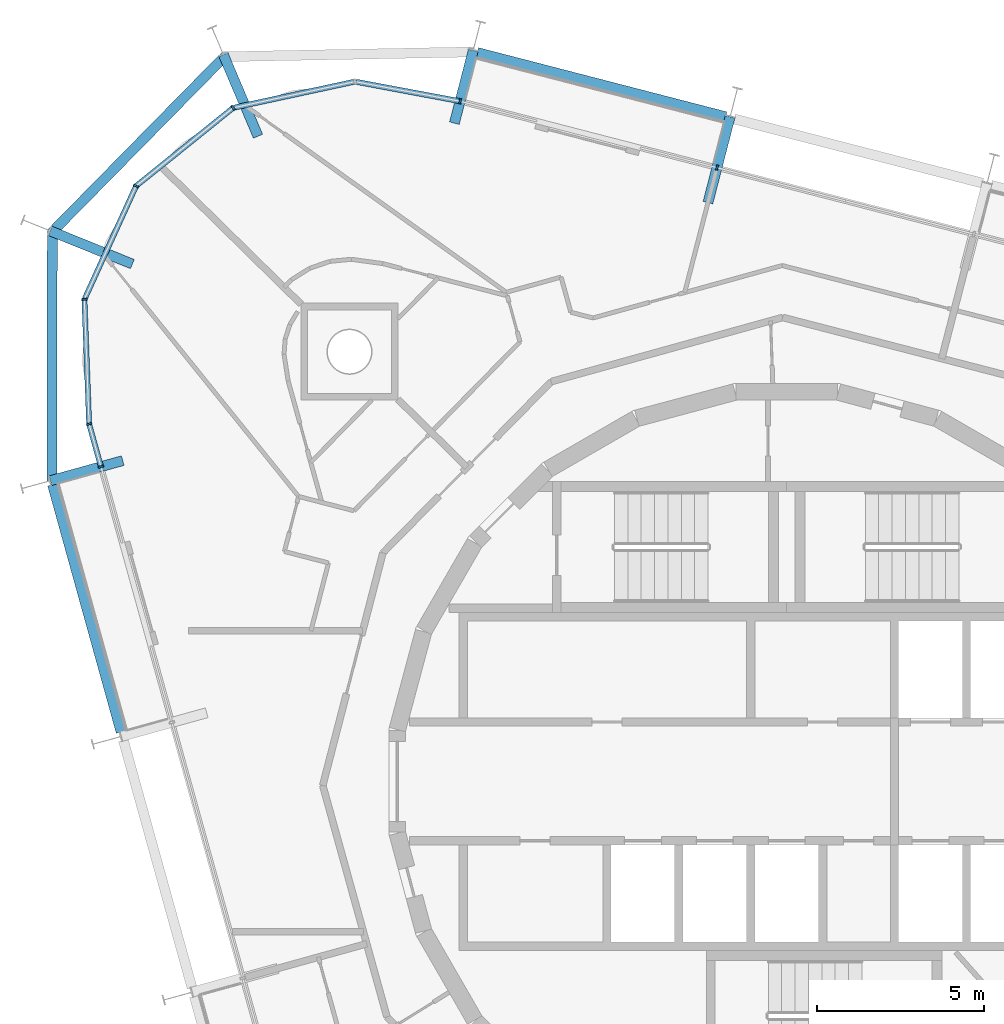
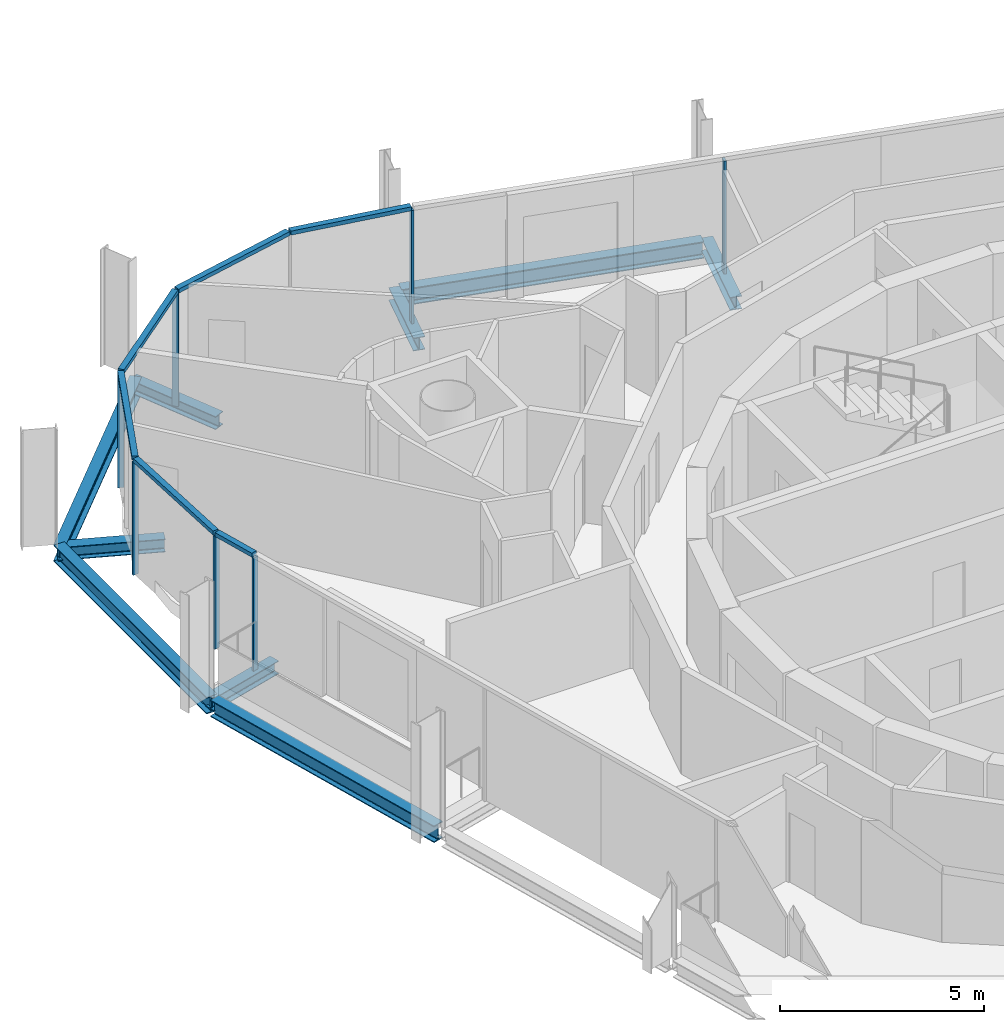
# One storey, part 5 of 16: 13 members, 9 beams, 3 elements without a shape of their own.
"""IFC4 building model written with IfcOpenShell, lengths in metres."""

from ifc_helpers import new_model, si_unit, direction, frame, origin, origin_2d, place, context, subcontext, project, spatial, rectangle, i_section, extrude, material, layer, layer_set, material_profile, profile_set, type_object, element, aggregate, save


model = new_model("IFC4")

# Units and contexts
model_context = context("Model", 3, precision=1e-05, world=origin(), true_north=direction((0.0, 1.0)))
body_context = subcontext(model_context, "Body", "Model", "MODEL_VIEW")
ifc_project = project(units=[si_unit("LENGTHUNIT", "METRE"), si_unit("AREAUNIT", "SQUARE_METRE"), si_unit("VOLUMEUNIT", "CUBIC_METRE"), si_unit("PLANEANGLEUNIT", "RADIAN"), si_unit("MASSUNIT", "GRAM", prefix="KILO")], contexts=[model_context])

# Site, building, storey
site_placement = place(None, origin())
site = spatial("IfcSite", under=ifc_project, at=site_placement, CompositionType="ELEMENT")
building_placement = place(site_placement, origin())
building = spatial("IfcBuilding", under=site, at=building_placement, Name="Spindle Arch Residences", CompositionType="ELEMENT")
storey_placement = place(building_placement, frame((0.0, 0.0, 301.699951171875)))
storey = spatial("IfcBuildingStorey", under=building, at=storey_placement, Name="L77", CompositionType="ELEMENT", Elevation=301.699951171875)

# Curtain wall, member
ifc_material_1 = material(Name="Aluminium bronze unitised frame with tinted glass", Category="aluminium")
ifc_layer_1 = layer(ifc_material_1, 0.159912109375)
ifc_layer_set_1 = layer_set([ifc_layer_1], Name="CW-C typical residential unitised wall")
curtain_wall_type_1 = type_object("IfcCurtainWallType", Name="CW-C typical residential unitised wall", PredefinedType="NOTDEFINED", material=ifc_layer_set_1)
curtain_wall_1_placement = place(storey_placement, origin())
curtain_wall_1 = element("IfcCurtainWall", 1, at=curtain_wall_1_placement, inside=storey, type_object=curtain_wall_type_1, Name="CW-C L77 run 2", PredefinedType="NOTDEFINED")
ifc_material_2 = material(Name="Aluminium bronze anodised mullion", Category="aluminium")
ifc_material_profile_1 = material_profile(ifc_material_2, rectangle(XDim=0.159912109375, YDim=0.06005859375, at=origin_2d()), Name="MU 60x160")
ifc_profile_set_1 = profile_set([ifc_material_profile_1], Name="Aluminium bronze anodised mullion")
member_type_1 = type_object("IfcMemberType", Name="Bronze mullion 60x160", PredefinedType="MULLION", material=ifc_profile_set_1)
member_1_placement = place(storey_placement, frame((-2.084228515625, 18.35107421875, -0.3798828125), z_axis=(0.0, 0.0, 1.0), x_axis=(-0.250380004054, -0.968147640378, 0.0)))
member_1 = element("IfcMember", 2, at=member_1_placement, type_object=member_type_1, Name="CW-C mullion 07", PredefinedType="MULLION", context=body_context, shape_type="SweptSolid", body=[
    extrude(rectangle(XDim=0.159912109375, YDim=0.06005859375, at=origin_2d()), origin(), (0.0, 0.0, 1.0), 3.3798828125),
])
aggregate(curtain_wall_1, [member_1])

# Curtain wall, members
ifc_material_3 = material(Name="Aluminium bronze unitised frame with tinted glass", Category="aluminium")
ifc_layer_2 = layer(ifc_material_3, 0.159912109375)
ifc_layer_set_2 = layer_set([ifc_layer_2], Name="CW-D corner wall on the fillet arcs")
curtain_wall_type_2 = type_object("IfcCurtainWallType", Name="CW-D corner wall on the fillet arcs", PredefinedType="NOTDEFINED", material=ifc_layer_set_2)
curtain_wall_2_placement = place(storey_placement, origin())
curtain_wall_2 = element("IfcCurtainWall", 3, at=curtain_wall_2_placement, inside=storey, type_object=curtain_wall_type_2, Name="CW-D L77 run 3", PredefinedType="NOTDEFINED")
member_2_placement = place(storey_placement, frame((-9.7666015625, 20.337890625, -0.3798828125), z_axis=(0.0, 0.0, 1.0), x_axis=(-0.183837217301, -0.98295670176, 0.0)))
member_2 = element("IfcMember", 4, at=member_2_placement, type_object=member_type_1, Name="CW-D mullion 00", PredefinedType="MULLION", context=body_context, shape_type="SweptSolid", body=[
    extrude(rectangle(XDim=0.159912109375, YDim=0.06005859375, at=origin_2d()), origin(), (0.0, 0.0, 1.0), 3.3798828125),
])
member_3_placement = place(storey_placement, frame((-16.5517578125, 20.14013671875, -0.3798828125), z_axis=(0.0, 0.0, 1.0), x_axis=(0.627057107401, -0.778973288411, 0.0)))
member_3 = element("IfcMember", 5, at=member_3_placement, type_object=member_type_1, Name="CW-D mullion 02", PredefinedType="MULLION", context=body_context, shape_type="SweptSolid", body=[
    extrude(rectangle(XDim=0.159912109375, YDim=0.06005859375, at=origin_2d()), origin(), (0.0, 0.0, 1.0), 3.3798828125),
])
member_4_placement = place(storey_placement, frame((-19.454833984375, 17.80322265625, -0.3798828125), z_axis=(0.0, 0.0, 1.0), x_axis=(0.9099612694, -0.414693245896, 0.0)))
member_4 = element("IfcMember", 6, at=member_4_placement, type_object=member_type_1, Name="CW-D mullion 03", PredefinedType="MULLION", context=body_context, shape_type="SweptSolid", body=[
    extrude(rectangle(XDim=0.159912109375, YDim=0.06005859375, at=origin_2d()), origin(), (0.0, 0.0, 1.0), 3.3798828125),
])
member_5_placement = place(storey_placement, frame((-21.00048828125, 14.411865234375, -0.3798828125), z_axis=(0.0, 0.0, 1.0), x_axis=(0.999285080405, 0.037806455536, 0.0)))
member_5 = element("IfcMember", 7, at=member_5_placement, type_object=member_type_1, Name="CW-D mullion 04", PredefinedType="MULLION", context=body_context, shape_type="SweptSolid", body=[
    extrude(rectangle(XDim=0.159912109375, YDim=0.06005859375, at=origin_2d()), origin(), (0.0, 0.0, 1.0), 3.3798828125),
])
member_6_placement = place(storey_placement, frame((-20.859375, 10.687744140625, -0.3798828125), z_axis=(0.0, 0.0, 1.0), x_axis=(0.963630453209, 0.267238376078, 0.0)))
member_6 = element("IfcMember", 8, at=member_6_placement, type_object=member_type_1, Name="CW-D mullion 05", PredefinedType="MULLION", context=body_context, shape_type="SweptSolid", body=[
    extrude(rectangle(XDim=0.159912109375, YDim=0.06005859375, at=origin_2d()), origin(), (0.0, 0.0, 1.0), 3.3798828125),
])

# Curtain wall, member
curtain_wall_3_placement = place(storey_placement, origin())
curtain_wall_3 = element("IfcCurtainWall", 9, at=curtain_wall_3_placement, inside=storey, type_object=curtain_wall_type_1, Name="CW-C L77 run 4", PredefinedType="NOTDEFINED")
member_7_placement = place(storey_placement, frame((-20.505126953125, 9.41015625, -0.3798828125), z_axis=(0.0, 0.0, 1.0), x_axis=(0.963630453209, 0.267238376078, 0.0)))
member_7 = element("IfcMember", 10, at=member_7_placement, type_object=member_type_1, Name="CW-C mullion 11", PredefinedType="MULLION", context=body_context, shape_type="SweptSolid", body=[
    extrude(rectangle(XDim=0.159912109375, YDim=0.06005859375, at=origin_2d()), origin(), (0.0, 0.0, 1.0), 3.3798828125),
])
aggregate(curtain_wall_3, [member_7])

# Member
ifc_material_4 = material(Name="Aluminium bronze anodised transom", Category="aluminium")
ifc_material_profile_2 = material_profile(ifc_material_4, rectangle(XDim=0.159912109375, YDim=0.1201171875, at=origin_2d()), Name="TR 120x160")
ifc_profile_set_2 = profile_set([ifc_material_profile_2], Name="Aluminium bronze anodised transom")
member_type_2 = type_object("IfcMemberType", Name="Bronze transom 120x160", PredefinedType="USERDEFINED", material=ifc_profile_set_2)
member_8_placement = place(storey_placement, frame((-9.796142578125, 20.34326171875, 3.06005859375), z_axis=(-0.982955792974, 0.183842076412, 0.0), x_axis=(-0.183842076412, -0.982955792974, 0.0)))
member_8 = element("IfcMember", 11, at=member_8_placement, type_object=member_type_2, Name="CW-D transom 00", ObjectType="TRANSOM", PredefinedType="USERDEFINED", context=body_context, shape_type="SweptSolid", body=[
    extrude(rectangle(XDim=0.159912109375, YDim=0.1201171875, at=origin_2d()), origin(), (0.0, 0.0, 1.0), 3.13671875),
])

member_9_placement = place(storey_placement, frame((-12.938232421875, 20.919189453125, 3.06005859375), z_axis=(-0.977527770532, -0.210806683571, 0.0), x_axis=(0.210806683571, -0.977527770532, 0.0)))
member_9 = element("IfcMember", 12, at=member_9_placement, type_object=member_type_2, Name="CW-D transom 01", ObjectType="TRANSOM", PredefinedType="USERDEFINED", context=body_context, shape_type="SweptSolid", body=[
    extrude(rectangle(XDim=0.159912109375, YDim=0.1201171875, at=origin_2d()), origin(), (0.0, 0.0, 1.0), 3.66650390625),
])

member_10_placement = place(storey_placement, frame((-16.5751953125, 20.121337890625, 3.06005859375), z_axis=(-0.778981543265, -0.627046852518, 0.0), x_axis=(0.627046852518, -0.778981543265, 0.0)))
member_10 = element("IfcMember", 13, at=member_10_placement, type_object=member_type_2, Name="CW-D transom 02", ObjectType="TRANSOM", PredefinedType="USERDEFINED", context=body_context, shape_type="SweptSolid", body=[
    extrude(rectangle(XDim=0.159912109375, YDim=0.1201171875, at=origin_2d()), origin(), (0.0, 0.0, 1.0), 3.6669921875),
])

member_11_placement = place(storey_placement, frame((-19.46728515625, 17.77587890625, 3.06005859375), z_axis=(-0.414725728642, -0.90994646546, 0.0), x_axis=(0.90994646546, -0.414725728642, 0.0)))
member_11 = element("IfcMember", 14, at=member_11_placement, type_object=member_type_2, Name="CW-D transom 03", ObjectType="TRANSOM", PredefinedType="USERDEFINED", context=body_context, shape_type="SweptSolid", body=[
    extrude(rectangle(XDim=0.159912109375, YDim=0.1201171875, at=origin_2d()), origin(), (0.0, 0.0, 1.0), 3.6669921875),
])

member_12_placement = place(storey_placement, frame((-20.999267578125, 14.382080078125, 3.06005859375), z_axis=(0.03781688996, -0.99928468558, 0.0), x_axis=(0.99928468558, 0.03781688996, 0.0)))
member_12 = element("IfcMember", 15, at=member_12_placement, type_object=member_type_2, Name="CW-D transom 04", ObjectType="TRANSOM", PredefinedType="USERDEFINED", context=body_context, shape_type="SweptSolid", body=[
    extrude(rectangle(XDim=0.159912109375, YDim=0.1201171875, at=origin_2d()), origin(), (0.0, 0.0, 1.0), 3.6669921875),
])

member_13_placement = place(storey_placement, frame((-20.8515625, 10.658935546875, 3.06005859375), z_axis=(0.267275846412, -0.963620060981, 0.0), x_axis=(0.963620060981, 0.267275846412, 0.0)))
member_13 = element("IfcMember", 16, at=member_13_placement, type_object=member_type_2, Name="CW-D transom 05", ObjectType="TRANSOM", PredefinedType="USERDEFINED", context=body_context, shape_type="SweptSolid", body=[
    extrude(rectangle(XDim=0.159912109375, YDim=0.1201171875, at=origin_2d()), origin(), (0.0, 0.0, 1.0), 1.26611328125),
])

aggregate(curtain_wall_2, [member_2, member_8, member_9, member_3, member_10, member_4, member_11, member_5, member_12, member_6, member_13])

# Beams
ifc_material_5 = material(Name="Steel S460ML, intumescent coating R 120", Category="steel")
ifc_material_profile_3 = material_profile(ifc_material_5, i_section(OverallWidth=0.300048828125, OverallDepth=0.5, WebThickness=0.014404296875, FlangeThickness=0.028076171875, FilletRadius=0.027099609375, at=origin_2d()), Name="HEB 500")
ifc_profile_set_3 = profile_set([ifc_material_profile_3], Name="Steel S460ML, intumescent coating R 120")
beam_type_1 = type_object("IfcBeamType", Name="Exoskeleton edge beam HEB 500", PredefinedType="BEAM", material=ifc_profile_set_3)
beam_1_placement = place(storey_placement, frame((-1.824462890625, 19.87451171875, -0.6298828125), z_axis=(-0.968149836341, 0.250371512743, 0.0), x_axis=(-0.250371512743, -0.968149836341, 0.0)))
element("IfcBeam", 17, at=beam_1_placement, inside=storey, type_object=beam_type_1, Name="Exoskeleton edge beam 8", PredefinedType="BEAM", context=body_context, shape_type="SweptSolid", body=[
    extrude(i_section(OverallWidth=0.300048828125, OverallDepth=0.5, WebThickness=0.014404296875, FlangeThickness=0.028076171875, FilletRadius=0.027099609375, at=origin_2d()), origin(), (0.0, 0.0, 1.0), 7.675048828125),
])
beam_2_placement = place(storey_placement, frame((-16.767333984375, 21.715576171875, -0.6298828125), z_axis=(-0.700904877176, -0.713254760342, 0.0), x_axis=(0.713254760342, -0.700904877176, 0.0)))
element("IfcBeam", 18, at=beam_2_placement, inside=storey, type_object=beam_type_1, Name="Exoskeleton edge beam 10", PredefinedType="BEAM", context=body_context, shape_type="SweptSolid", body=[
    extrude(i_section(OverallWidth=0.300048828125, OverallDepth=0.5, WebThickness=0.014404296875, FlangeThickness=0.028076171875, FilletRadius=0.027099609375, at=origin_2d()), origin(), (0.0, 0.0, 1.0), 7.47265625),
])
beam_3_placement = place(storey_placement, frame((-21.95947265625, 16.472412109375, -0.6298828125), z_axis=(-0.001692871227, -0.999998567092, 0.0), x_axis=(0.999998567092, -0.001692871227, 0.0)))
element("IfcBeam", 19, at=beam_3_placement, inside=storey, type_object=beam_type_1, Name="Exoskeleton edge beam 11", PredefinedType="BEAM", context=body_context, shape_type="SweptSolid", body=[
    extrude(i_section(OverallWidth=0.300048828125, OverallDepth=0.5, WebThickness=0.014404296875, FlangeThickness=0.028076171875, FilletRadius=0.027099609375, at=origin_2d()), origin(), (0.0, 0.0, 1.0), 7.499267578125),
])
beam_4_placement = place(storey_placement, frame((-21.954345703125, 8.873291015625, -0.6298828125), z_axis=(0.26723040865, -0.963632662737, 0.0), x_axis=(0.963632662737, 0.26723040865, 0.0)))
element("IfcBeam", 20, at=beam_4_placement, inside=storey, type_object=beam_type_1, Name="Exoskeleton edge beam 12", PredefinedType="BEAM", context=body_context, shape_type="SweptSolid", body=[
    extrude(i_section(OverallWidth=0.300048828125, OverallDepth=0.5, WebThickness=0.014404296875, FlangeThickness=0.028076171875, FilletRadius=0.027099609375, at=origin_2d()), origin(), (0.0, 0.0, 1.0), 7.675048828125),
])
ifc_material_6 = material(Name="Steel S460ML, intumescent coating R 120", Category="steel")
ifc_material_profile_4 = material_profile(ifc_material_6, i_section(OverallWidth=0.300048828125, OverallDepth=0.389892578125, WebThickness=0.010986328125, FlangeThickness=0.01904296875, FilletRadius=0.027099609375, at=origin_2d()), Name="HEA 400")
ifc_profile_set_4 = profile_set([ifc_material_profile_4], Name="Steel S460ML, intumescent coating R 120")
beam_type_2 = type_object("IfcBeamType", Name="Floor outrigger HEA 400", PredefinedType="BEAM", material=ifc_profile_set_4)
beam_5_placement = place(storey_placement, frame((-1.691162109375, 19.87109375, -0.574951171875), z_axis=(-0.250396221036, -0.968143446237, 0.0), x_axis=(0.968143446237, -0.250396221036, 0.0)))
element("IfcBeam", 21, at=beam_5_placement, inside=storey, type_object=beam_type_2, Name="Floor outrigger 8", PredefinedType="BEAM", context=body_context, shape_type="SweptSolid", body=[
    extrude(i_section(OverallWidth=0.300048828125, OverallDepth=0.389892578125, WebThickness=0.010986328125, FlangeThickness=0.01904296875, FilletRadius=0.027099609375, at=origin_2d()), origin(), (0.0, 0.0, 1.0), 2.650146484375),
])
beam_6_placement = place(storey_placement, frame((-9.37353515625, 21.857666015625, -0.574951171875), z_axis=(-0.250347717753, -0.968155989609, 0.0), x_axis=(0.968155989609, -0.250347717753, 0.0)))
element("IfcBeam", 22, at=beam_6_placement, inside=storey, type_object=beam_type_2, Name="Floor outrigger 9", PredefinedType="BEAM", context=body_context, shape_type="SweptSolid", body=[
    extrude(i_section(OverallWidth=0.300048828125, OverallDepth=0.389892578125, WebThickness=0.010986328125, FlangeThickness=0.01904296875, FilletRadius=0.027099609375, at=origin_2d()), origin(), (0.0, 0.0, 1.0), 2.247802734375),
])
for number, where, z_axis, x_axis, name in (
    (23, (-16.8427734375, 21.73046875, -0.574951171875), (0.390625555943, -0.920549659195, 0.0), (0.920549659195, 0.390625555943, 0.0), "Floor outrigger 10"),
    (24, (-22.02099609375, 16.4609375, -0.574951171875), (0.927219688575, -0.374517888917, 0.0), (0.374517888917, 0.927219688575, 0.0), "Floor outrigger 11"),
):
    element("IfcBeam", number, at=place(storey_placement, frame(where, z_axis=z_axis, x_axis=x_axis)), inside=storey, type_object=beam_type_2, Name=name, PredefinedType="BEAM", context=body_context, shape_type="SweptSolid", body=[
        extrude(i_section(OverallWidth=0.300048828125, OverallDepth=0.389892578125, WebThickness=0.010986328125, FlangeThickness=0.01904296875, FilletRadius=0.027099609375, at=origin_2d()), origin(), (0.0, 0.0, 1.0), 2.64990234375),
    ])
beam_7_placement = place(storey_placement, frame((-22.01806640625, 8.990478515625, -0.574951171875), z_axis=(0.963622081643, 0.267268561132, 0.0), x_axis=(-0.267268561132, 0.963622081643, 0.0)))
element("IfcBeam", 25, at=beam_7_placement, inside=storey, type_object=beam_type_2, Name="Floor outrigger 12", PredefinedType="BEAM", context=body_context, shape_type="SweptSolid", body=[
    extrude(i_section(OverallWidth=0.300048828125, OverallDepth=0.389892578125, WebThickness=0.010986328125, FlangeThickness=0.01904296875, FilletRadius=0.027099609375, at=origin_2d()), origin(), (0.0, 0.0, 1.0), 2.248046875),
])

save(model, "model.ifc")
